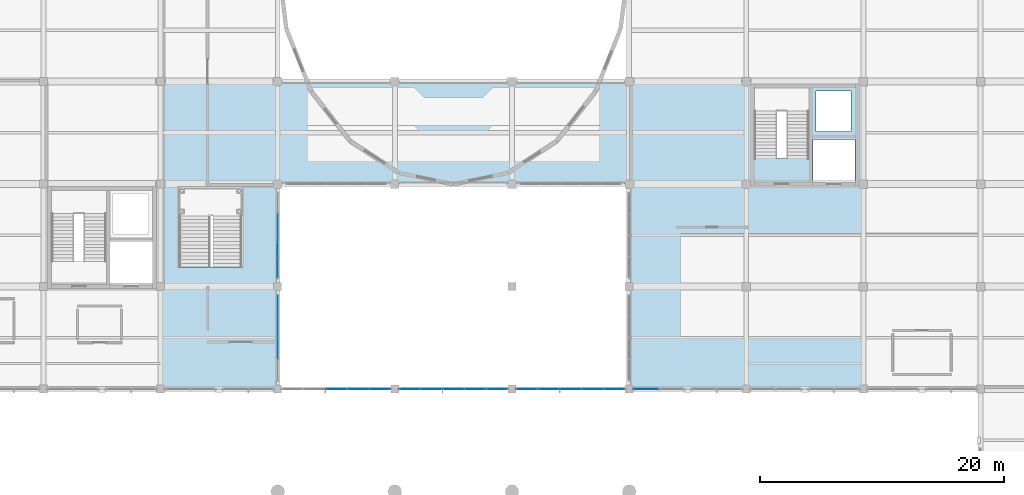
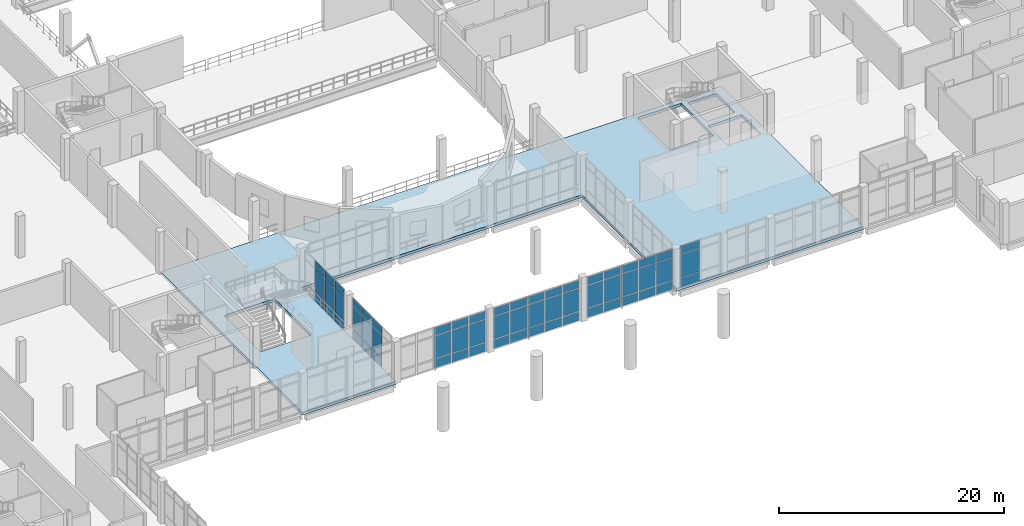
# One storey, part 78 of 102: 60 plates, 1 slab, 6 elements without a shape of their own.
"""IFC4 building model written with IfcOpenShell, lengths in metres."""

from ifc_helpers import new_model, si_unit, direction, frame, origin, origin_2d, place, context, subcontext, project, spatial, polyline, rectangle, outline, extrude, material, layer, layer_set, type_object, element, aggregate, save


model = new_model("IFC4")

# Units and contexts
model_context = context("Model", 3, precision=1e-05, world=origin(), true_north=direction((0.0, 1.0)))
body_context = subcontext(model_context, "Body", "Model", "MODEL_VIEW")
ifc_project = project(units=[si_unit("LENGTHUNIT", "METRE"), si_unit("AREAUNIT", "SQUARE_METRE"), si_unit("VOLUMEUNIT", "CUBIC_METRE"), si_unit("PLANEANGLEUNIT", "RADIAN"), si_unit("MASSUNIT", "GRAM", prefix="KILO")], contexts=[model_context])

# Site, building, storey
site_placement = place(None, origin())
site = spatial("IfcSite", under=ifc_project, at=site_placement, CompositionType="ELEMENT")
building_placement = place(site_placement, origin())
building = spatial("IfcBuilding", under=site, at=building_placement, Name="Lornevale Opera House", CompositionType="ELEMENT")
storey_placement = place(building_placement, frame((0.0, 0.0, 5.39990234375)))
storey = spatial("IfcBuildingStorey", under=building, at=storey_placement, Name="L02", CompositionType="ELEMENT", Elevation=5.39990234375)

# Curtain wall, plates
ifc_material_1 = material(Name="Anodized Oxide-Green Aluminium Framing", Category="aluminium")
ifc_layer_1 = layer(ifc_material_1, 0.14990234375)
ifc_layer_set_1 = layer_set([ifc_layer_1], Name="Anodized Oxide-Green Aluminium Framing")
curtain_wall_type_1 = type_object("IfcCurtainWallType", Name="North-Light Clerestory Curtain Wall M1600", PredefinedType="NOTDEFINED", material=ifc_layer_set_1)
curtain_wall_1_placement = place(storey_placement, origin())
curtain_wall_1 = element("IfcCurtainWall", 1, at=curtain_wall_1_placement, inside=storey, type_object=curtain_wall_type_1, Name="North-Light Clerestory Curtain Wall M1600 CW-171", PredefinedType="NOTDEFINED")
ifc_material_2 = material(Name="Triple Low-E Insulated Glazing", Category="glass")
ifc_layer_2 = layer(ifc_material_2, 0.033935546875)
ifc_layer_set_2 = layer_set([ifc_layer_2], Name="Triple Low-E Insulated Glazing")
plate_type_1 = type_object("IfcPlateType", Name="Clerestory Diffusing Glazing Panel 34", PredefinedType="CURTAIN_PANEL", material=ifc_layer_set_2)
plate_1_placement = place(storey_placement, frame((67.199951171875, 20.125, 0.06005859375), z_axis=(0.0, 0.0, 1.0), x_axis=(0.0, 1.0, 0.0)))
plate_1 = element("IfcPlate", 2, at=plate_1_placement, type_object=plate_type_1, Name="Clerestory Diffusing Glazing Panel 34 CW3475", PredefinedType="CURTAIN_PANEL", context=body_context, shape_type="SweptSolid", body=[
    extrude(rectangle(XDim=1.68994140625, YDim=0.033935546875, at=origin_2d()), origin(), (0.0, 0.0, 1.0), 0.9599609375),
])
plate_2_placement = place(storey_placement, frame((67.199951171875, 20.125, 1.080078125), z_axis=(0.0, 0.0, 1.0), x_axis=(0.0, 1.0, 0.0)))
plate_2 = element("IfcPlate", 3, at=plate_2_placement, type_object=plate_type_1, Name="Clerestory Diffusing Glazing Panel 34 CW3476", PredefinedType="CURTAIN_PANEL", context=body_context, shape_type="SweptSolid", body=[
    extrude(rectangle(XDim=1.68994140625, YDim=0.033935546875, at=origin_2d()), origin(), (0.0, 0.0, 1.0), 2.43994140625),
])
plate_3_placement = place(storey_placement, frame((67.199951171875, 20.125, 3.580078125), z_axis=(0.0, 0.0, 1.0), x_axis=(0.0, 1.0, 0.0)))
plate_3 = element("IfcPlate", 4, at=plate_3_placement, type_object=plate_type_1, Name="Clerestory Diffusing Glazing Panel 34 CW3477", PredefinedType="CURTAIN_PANEL", context=body_context, shape_type="SweptSolid", body=[
    extrude(rectangle(XDim=1.68994140625, YDim=0.033935546875, at=origin_2d()), origin(), (0.0, 0.0, 1.0), 0.860107421875),
])
plate_4_placement = place(storey_placement, frame((67.199951171875, 21.875, 0.06005859375), z_axis=(0.0, 0.0, 1.0), x_axis=(0.0, 1.0, 0.0)))
plate_4 = element("IfcPlate", 5, at=plate_4_placement, type_object=plate_type_1, Name="Clerestory Diffusing Glazing Panel 34 CW3482", PredefinedType="CURTAIN_PANEL", context=body_context, shape_type="SweptSolid", body=[
    extrude(rectangle(XDim=1.68994140625, YDim=0.033935546875, at=origin_2d()), origin(), (0.0, 0.0, 1.0), 0.9599609375),
])
plate_5_placement = place(storey_placement, frame((67.199951171875, 21.875, 1.080078125), z_axis=(0.0, 0.0, 1.0), x_axis=(0.0, 1.0, 0.0)))
plate_5 = element("IfcPlate", 6, at=plate_5_placement, type_object=plate_type_1, Name="Clerestory Diffusing Glazing Panel 34 CW3483", PredefinedType="CURTAIN_PANEL", context=body_context, shape_type="SweptSolid", body=[
    extrude(rectangle(XDim=1.68994140625, YDim=0.033935546875, at=origin_2d()), origin(), (0.0, 0.0, 1.0), 2.43994140625),
])
plate_6_placement = place(storey_placement, frame((67.199951171875, 21.875, 3.580078125), z_axis=(0.0, 0.0, 1.0), x_axis=(0.0, 1.0, 0.0)))
plate_6 = element("IfcPlate", 7, at=plate_6_placement, type_object=plate_type_1, Name="Clerestory Diffusing Glazing Panel 34 CW3484", PredefinedType="CURTAIN_PANEL", context=body_context, shape_type="SweptSolid", body=[
    extrude(rectangle(XDim=1.68994140625, YDim=0.033935546875, at=origin_2d()), origin(), (0.0, 0.0, 1.0), 0.860107421875),
])
plate_7_placement = place(storey_placement, frame((67.199951171875, 23.610107421875, 0.06005859375), z_axis=(0.0, 0.0, 1.0), x_axis=(0.0, 1.0, 0.0)))
plate_7 = element("IfcPlate", 8, at=plate_7_placement, type_object=plate_type_1, Name="Clerestory Diffusing Glazing Panel 34 CW3489", PredefinedType="CURTAIN_PANEL", context=body_context, shape_type="SweptSolid", body=[
    extrude(rectangle(XDim=1.659912109375, YDim=0.033935546875, at=origin_2d()), origin(), (0.0, 0.0, 1.0), 0.9599609375),
])
plate_8_placement = place(storey_placement, frame((67.199951171875, 23.610107421875, 1.080078125), z_axis=(0.0, 0.0, 1.0), x_axis=(0.0, 1.0, 0.0)))
plate_8 = element("IfcPlate", 9, at=plate_8_placement, type_object=plate_type_1, Name="Clerestory Diffusing Glazing Panel 34 CW3490", PredefinedType="CURTAIN_PANEL", context=body_context, shape_type="SweptSolid", body=[
    extrude(rectangle(XDim=1.659912109375, YDim=0.033935546875, at=origin_2d()), origin(), (0.0, 0.0, 1.0), 2.43994140625),
])
plate_9_placement = place(storey_placement, frame((67.199951171875, 23.610107421875, 3.580078125), z_axis=(0.0, 0.0, 1.0), x_axis=(0.0, 1.0, 0.0)))
plate_9 = element("IfcPlate", 10, at=plate_9_placement, type_object=plate_type_1, Name="Clerestory Diffusing Glazing Panel 34 CW3491", PredefinedType="CURTAIN_PANEL", context=body_context, shape_type="SweptSolid", body=[
    extrude(rectangle(XDim=1.659912109375, YDim=0.033935546875, at=origin_2d()), origin(), (0.0, 0.0, 1.0), 0.860107421875),
])
aggregate(curtain_wall_1, [plate_1, plate_2, plate_3, plate_4, plate_5, plate_6, plate_7, plate_8, plate_9])

curtain_wall_2_placement = place(storey_placement, origin())
curtain_wall_2 = element("IfcCurtainWall", 11, at=curtain_wall_2_placement, inside=storey, type_object=curtain_wall_type_1, Name="North-Light Clerestory Curtain Wall M1600 CW-172", PredefinedType="NOTDEFINED")
plate_10_placement = place(storey_placement, frame((67.199951171875, 26.7900390625, 0.06005859375), z_axis=(0.0, 0.0, 1.0), x_axis=(0.0, 1.0, 0.0)))
plate_10 = element("IfcPlate", 12, at=plate_10_placement, type_object=plate_type_1, Name="Clerestory Diffusing Glazing Panel 34 CW3501", PredefinedType="CURTAIN_PANEL", context=body_context, shape_type="SweptSolid", body=[
    extrude(rectangle(XDim=1.659912109375, YDim=0.033935546875, at=origin_2d()), origin(), (0.0, 0.0, 1.0), 0.9599609375),
])
plate_11_placement = place(storey_placement, frame((67.199951171875, 26.7900390625, 1.080078125), z_axis=(0.0, 0.0, 1.0), x_axis=(0.0, 1.0, 0.0)))
plate_11 = element("IfcPlate", 13, at=plate_11_placement, type_object=plate_type_1, Name="Clerestory Diffusing Glazing Panel 34 CW3502", PredefinedType="CURTAIN_PANEL", context=body_context, shape_type="SweptSolid", body=[
    extrude(rectangle(XDim=1.659912109375, YDim=0.033935546875, at=origin_2d()), origin(), (0.0, 0.0, 1.0), 2.43994140625),
])
plate_12_placement = place(storey_placement, frame((67.199951171875, 26.7900390625, 3.580078125), z_axis=(0.0, 0.0, 1.0), x_axis=(0.0, 1.0, 0.0)))
plate_12 = element("IfcPlate", 14, at=plate_12_placement, type_object=plate_type_1, Name="Clerestory Diffusing Glazing Panel 34 CW3503", PredefinedType="CURTAIN_PANEL", context=body_context, shape_type="SweptSolid", body=[
    extrude(rectangle(XDim=1.659912109375, YDim=0.033935546875, at=origin_2d()), origin(), (0.0, 0.0, 1.0), 0.860107421875),
])
plate_13_placement = place(storey_placement, frame((67.199951171875, 28.52490234375, 0.06005859375), z_axis=(0.0, 0.0, 1.0), x_axis=(0.0, 1.0, 0.0)))
plate_13 = element("IfcPlate", 15, at=plate_13_placement, type_object=plate_type_1, Name="Clerestory Diffusing Glazing Panel 34 CW3508", PredefinedType="CURTAIN_PANEL", context=body_context, shape_type="SweptSolid", body=[
    extrude(rectangle(XDim=1.68994140625, YDim=0.033935546875, at=origin_2d()), origin(), (0.0, 0.0, 1.0), 0.9599609375),
])
plate_14_placement = place(storey_placement, frame((67.199951171875, 28.52490234375, 1.080078125), z_axis=(0.0, 0.0, 1.0), x_axis=(0.0, 1.0, 0.0)))
plate_14 = element("IfcPlate", 16, at=plate_14_placement, type_object=plate_type_1, Name="Clerestory Diffusing Glazing Panel 34 CW3509", PredefinedType="CURTAIN_PANEL", context=body_context, shape_type="SweptSolid", body=[
    extrude(rectangle(XDim=1.68994140625, YDim=0.033935546875, at=origin_2d()), origin(), (0.0, 0.0, 1.0), 2.43994140625),
])
plate_15_placement = place(storey_placement, frame((67.199951171875, 28.52490234375, 3.580078125), z_axis=(0.0, 0.0, 1.0), x_axis=(0.0, 1.0, 0.0)))
plate_15 = element("IfcPlate", 17, at=plate_15_placement, type_object=plate_type_1, Name="Clerestory Diffusing Glazing Panel 34 CW3510", PredefinedType="CURTAIN_PANEL", context=body_context, shape_type="SweptSolid", body=[
    extrude(rectangle(XDim=1.68994140625, YDim=0.033935546875, at=origin_2d()), origin(), (0.0, 0.0, 1.0), 0.860107421875),
])
plate_16_placement = place(storey_placement, frame((67.199951171875, 30.27490234375, 0.06005859375), z_axis=(0.0, 0.0, 1.0), x_axis=(0.0, 1.0, 0.0)))
plate_16 = element("IfcPlate", 18, at=plate_16_placement, type_object=plate_type_1, Name="Clerestory Diffusing Glazing Panel 34 CW3515", PredefinedType="CURTAIN_PANEL", context=body_context, shape_type="SweptSolid", body=[
    extrude(rectangle(XDim=1.68994140625, YDim=0.033935546875, at=origin_2d()), origin(), (0.0, 0.0, 1.0), 0.9599609375),
])
plate_17_placement = place(storey_placement, frame((67.199951171875, 30.27490234375, 1.080078125), z_axis=(0.0, 0.0, 1.0), x_axis=(0.0, 1.0, 0.0)))
plate_17 = element("IfcPlate", 19, at=plate_17_placement, type_object=plate_type_1, Name="Clerestory Diffusing Glazing Panel 34 CW3516", PredefinedType="CURTAIN_PANEL", context=body_context, shape_type="SweptSolid", body=[
    extrude(rectangle(XDim=1.68994140625, YDim=0.033935546875, at=origin_2d()), origin(), (0.0, 0.0, 1.0), 2.43994140625),
])
plate_18_placement = place(storey_placement, frame((67.199951171875, 30.27490234375, 3.580078125), z_axis=(0.0, 0.0, 1.0), x_axis=(0.0, 1.0, 0.0)))
plate_18 = element("IfcPlate", 20, at=plate_18_placement, type_object=plate_type_1, Name="Clerestory Diffusing Glazing Panel 34 CW3517", PredefinedType="CURTAIN_PANEL", context=body_context, shape_type="SweptSolid", body=[
    extrude(rectangle(XDim=1.68994140625, YDim=0.033935546875, at=origin_2d()), origin(), (0.0, 0.0, 1.0), 0.860107421875),
])
aggregate(curtain_wall_2, [plate_10, plate_11, plate_12, plate_13, plate_14, plate_15, plate_16, plate_17, plate_18])

# Slab
ifc_material_3 = material(Name="Concrete 35 MPa (CSA A23.1 N)", Category="concrete")
ifc_layer_3 = layer(ifc_material_3, 0.300048828125)
ifc_layer_set_3 = layer_set([ifc_layer_3], Name="Concrete 35 MPa (CSA A23.1 N)")
slab_type = type_object("IfcSlabType", Name="Parterre Gallery Floor Slab 300", PredefinedType="FLOOR", material=ifc_layer_set_3)
slab_placement = place(storey_placement, frame((0.0, 0.0, -0.2998046875)))
element("IfcSlab", 21, at=slab_placement, inside=storey, type_object=slab_type, Name="Parterre Gallery Floor Slab 300 SL-035", PredefinedType="FLOOR", context=body_context, shape_type="SweptSolid", body=[
    extrude(outline(polyline([(57.60009765625, 25.199951171875), (57.60009765625, 33.60009765625), (57.60009765625, 42.0), (67.199951171875, 42.0), (76.800048828125, 42.0), (86.39990234375, 42.0), (96.0, 42.0), (105.60009765625, 42.0), (115.199951171875, 42.0), (115.199951171875, 33.60009765625), (115.199951171875, 25.199951171875), (115.199951171875, 16.800048828125), (105.60009765625, 16.800048828125), (96.0, 16.800048828125), (96.0, 25.199951171875), (96.0, 33.60009765625), (86.39990234375, 33.60009765625), (76.800048828125, 33.60009765625), (67.199951171875, 33.60009765625), (67.199951171875, 25.199951171875), (67.199951171875, 16.800048828125), (57.60009765625, 16.800048828125), (57.60009765625, 25.199951171875)]), holes=[polyline([(111.06005859375, 33.780029296875), (114.52001953125, 33.780029296875), (114.52001953125, 37.239990234375), (111.06005859375, 37.239990234375), (111.06005859375, 33.780029296875)]), polyline([(106.260009765625, 35.679931640625), (110.739990234375, 35.679931640625), (110.739990234375, 41.47998046875), (106.260009765625, 41.47998046875), (106.260009765625, 35.679931640625)]), polyline([(59.10009765625, 26.820068359375), (64.300048828125, 26.820068359375), (64.300048828125, 33.300048828125), (59.10009765625, 33.300048828125), (59.10009765625, 26.820068359375)]), polyline([(111.300048828125, 37.89990234375), (114.199951171875, 37.89990234375), (114.199951171875, 41.239990234375), (111.300048828125, 41.239990234375), (111.300048828125, 37.89990234375)])]), origin(), (0.0, 0.0, 1.0), 0.2998046875),
])

# Curtain wall, plates
ifc_layer_4 = layer(ifc_material_1, 0.219970703125)
ifc_layer_set_4 = layer_set([ifc_layer_4], Name="Anodized Oxide-Green Aluminium Framing")
curtain_wall_type_2 = type_object("IfcCurtainWallType", Name="Winter-Garden Curtain Wall M1900", PredefinedType="NOTDEFINED", material=ifc_layer_set_4)
curtain_wall_3_placement = place(storey_placement, origin())
curtain_wall_3 = element("IfcCurtainWall", 22, at=curtain_wall_3_placement, inside=storey, type_object=curtain_wall_type_2, Name="Winter-Garden Curtain Wall M1900 CW-069", PredefinedType="NOTDEFINED")
ifc_layer_5 = layer(ifc_material_2, 0.0380859375)
ifc_layer_set_5 = layer_set([ifc_layer_5], Name="Triple Low-E Insulated Glazing")
plate_type_2 = type_object("IfcPlateType", Name="Triple Low-E Vision Panel 38", PredefinedType="CURTAIN_PANEL", material=ifc_layer_set_5)
plate_19_placement = place(storey_placement, frame((75.564453125, 16.800048828125, 0.074951171875), z_axis=(0.0, 0.0, 1.0), x_axis=(-1.0, 0.0, 0.0)))
plate_19 = element("IfcPlate", 23, at=plate_19_placement, type_object=plate_type_2, Name="Triple Low-E Vision Panel 38 CW1367", PredefinedType="CURTAIN_PANEL", context=body_context, shape_type="SweptSolid", body=[
    extrude(rectangle(XDim=1.67919921875, YDim=0.0380859375, at=origin_2d()), origin(), (0.0, 0.0, 1.0), 0.9375),
])
plate_20_placement = place(storey_placement, frame((75.564453125, 16.800048828125, 1.08740234375), z_axis=(0.0, 0.0, 1.0), x_axis=(-1.0, 0.0, 0.0)))
plate_20 = element("IfcPlate", 24, at=plate_20_placement, type_object=plate_type_2, Name="Triple Low-E Vision Panel 38 CW1368", PredefinedType="CURTAIN_PANEL", context=body_context, shape_type="SweptSolid", body=[
    extrude(rectangle(XDim=1.67919921875, YDim=0.0380859375, at=origin_2d()), origin(), (0.0, 0.0, 1.0), 2.445068359375),
])
plate_21_placement = place(storey_placement, frame((75.564453125, 16.800048828125, 3.607666015625), z_axis=(0.0, 0.0, 1.0), x_axis=(-1.0, 0.0, 0.0)))
plate_21 = element("IfcPlate", 25, at=plate_21_placement, type_object=plate_type_2, Name="Triple Low-E Vision Panel 38 CW1369", PredefinedType="CURTAIN_PANEL", context=body_context, shape_type="SweptSolid", body=[
    extrude(rectangle(XDim=1.67919921875, YDim=0.0380859375, at=origin_2d()), origin(), (0.0, 0.0, 1.0), 0.83740234375),
])
plate_22_placement = place(storey_placement, frame((73.79150390625, 16.800048828125, 0.074951171875), z_axis=(0.0, 0.0, 1.0), x_axis=(-1.0, 0.0, 0.0)))
plate_22 = element("IfcPlate", 26, at=plate_22_placement, type_object=plate_type_2, Name="Triple Low-E Vision Panel 38 CW1374", PredefinedType="CURTAIN_PANEL", context=body_context, shape_type="SweptSolid", body=[
    extrude(rectangle(XDim=1.716552734375, YDim=0.0380859375, at=origin_2d()), origin(), (0.0, 0.0, 1.0), 0.9375),
])
plate_23_placement = place(storey_placement, frame((73.79150390625, 16.800048828125, 1.08740234375), z_axis=(0.0, 0.0, 1.0), x_axis=(-1.0, 0.0, 0.0)))
plate_23 = element("IfcPlate", 27, at=plate_23_placement, type_object=plate_type_2, Name="Triple Low-E Vision Panel 38 CW1375", PredefinedType="CURTAIN_PANEL", context=body_context, shape_type="SweptSolid", body=[
    extrude(rectangle(XDim=1.716552734375, YDim=0.0380859375, at=origin_2d()), origin(), (0.0, 0.0, 1.0), 2.445068359375),
])
plate_24_placement = place(storey_placement, frame((73.79150390625, 16.800048828125, 3.607666015625), z_axis=(0.0, 0.0, 1.0), x_axis=(-1.0, 0.0, 0.0)))
plate_24 = element("IfcPlate", 28, at=plate_24_placement, type_object=plate_type_2, Name="Triple Low-E Vision Panel 38 CW1376", PredefinedType="CURTAIN_PANEL", context=body_context, shape_type="SweptSolid", body=[
    extrude(rectangle(XDim=1.716552734375, YDim=0.0380859375, at=origin_2d()), origin(), (0.0, 0.0, 1.0), 0.83740234375),
])
plate_25_placement = place(storey_placement, frame((72.0, 16.800048828125, 0.074951171875), z_axis=(0.0, 0.0, 1.0), x_axis=(-1.0, 0.0, 0.0)))
plate_25 = element("IfcPlate", 29, at=plate_25_placement, type_object=plate_type_2, Name="Triple Low-E Vision Panel 38 CW1381", PredefinedType="CURTAIN_PANEL", context=body_context, shape_type="SweptSolid", body=[
    extrude(rectangle(XDim=1.716552734375, YDim=0.0380859375, at=origin_2d()), origin(), (0.0, 0.0, 1.0), 0.9375),
])
plate_26_placement = place(storey_placement, frame((72.0, 16.800048828125, 1.08740234375), z_axis=(0.0, 0.0, 1.0), x_axis=(-1.0, 0.0, 0.0)))
plate_26 = element("IfcPlate", 30, at=plate_26_placement, type_object=plate_type_2, Name="Triple Low-E Vision Panel 38 CW1382", PredefinedType="CURTAIN_PANEL", context=body_context, shape_type="SweptSolid", body=[
    extrude(rectangle(XDim=1.716552734375, YDim=0.0380859375, at=origin_2d()), origin(), (0.0, 0.0, 1.0), 2.445068359375),
])
plate_27_placement = place(storey_placement, frame((72.0, 16.800048828125, 3.607666015625), z_axis=(0.0, 0.0, 1.0), x_axis=(-1.0, 0.0, 0.0)))
plate_27 = element("IfcPlate", 31, at=plate_27_placement, type_object=plate_type_2, Name="Triple Low-E Vision Panel 38 CW1383", PredefinedType="CURTAIN_PANEL", context=body_context, shape_type="SweptSolid", body=[
    extrude(rectangle(XDim=1.716552734375, YDim=0.0380859375, at=origin_2d()), origin(), (0.0, 0.0, 1.0), 0.83740234375),
])
aggregate(curtain_wall_3, [plate_19, plate_20, plate_21, plate_22, plate_23, plate_24, plate_25, plate_26, plate_27])

curtain_wall_4_placement = place(storey_placement, origin())
curtain_wall_4 = element("IfcCurtainWall", 32, at=curtain_wall_4_placement, inside=storey, type_object=curtain_wall_type_2, Name="Winter-Garden Curtain Wall M1900 CW-070", PredefinedType="NOTDEFINED")
plate_28_placement = place(storey_placement, frame((85.164306640625, 16.800048828125, 0.074951171875), z_axis=(0.0, 0.0, 1.0), x_axis=(-1.0, 0.0, 0.0)))
plate_28 = element("IfcPlate", 33, at=plate_28_placement, type_object=plate_type_2, Name="Triple Low-E Vision Panel 38 CW1408", PredefinedType="CURTAIN_PANEL", context=body_context, shape_type="SweptSolid", body=[
    extrude(rectangle(XDim=1.67919921875, YDim=0.0380859375, at=origin_2d()), origin(), (0.0, 0.0, 1.0), 0.9375),
])
plate_29_placement = place(storey_placement, frame((85.164306640625, 16.800048828125, 1.08740234375), z_axis=(0.0, 0.0, 1.0), x_axis=(-1.0, 0.0, 0.0)))
plate_29 = element("IfcPlate", 34, at=plate_29_placement, type_object=plate_type_2, Name="Triple Low-E Vision Panel 38 CW1409", PredefinedType="CURTAIN_PANEL", context=body_context, shape_type="SweptSolid", body=[
    extrude(rectangle(XDim=1.67919921875, YDim=0.0380859375, at=origin_2d()), origin(), (0.0, 0.0, 1.0), 2.445068359375),
])
plate_30_placement = place(storey_placement, frame((85.164306640625, 16.800048828125, 3.607666015625), z_axis=(0.0, 0.0, 1.0), x_axis=(-1.0, 0.0, 0.0)))
plate_30 = element("IfcPlate", 35, at=plate_30_placement, type_object=plate_type_2, Name="Triple Low-E Vision Panel 38 CW1410", PredefinedType="CURTAIN_PANEL", context=body_context, shape_type="SweptSolid", body=[
    extrude(rectangle(XDim=1.67919921875, YDim=0.0380859375, at=origin_2d()), origin(), (0.0, 0.0, 1.0), 0.83740234375),
])
plate_31_placement = place(storey_placement, frame((83.3916015625, 16.800048828125, 0.074951171875), z_axis=(0.0, 0.0, 1.0), x_axis=(-1.0, 0.0, 0.0)))
plate_31 = element("IfcPlate", 36, at=plate_31_placement, type_object=plate_type_2, Name="Triple Low-E Vision Panel 38 CW1415", PredefinedType="CURTAIN_PANEL", context=body_context, shape_type="SweptSolid", body=[
    extrude(rectangle(XDim=1.716552734375, YDim=0.0380859375, at=origin_2d()), origin(), (0.0, 0.0, 1.0), 0.9375),
])
plate_32_placement = place(storey_placement, frame((83.3916015625, 16.800048828125, 1.08740234375), z_axis=(0.0, 0.0, 1.0), x_axis=(-1.0, 0.0, 0.0)))
plate_32 = element("IfcPlate", 37, at=plate_32_placement, type_object=plate_type_2, Name="Triple Low-E Vision Panel 38 CW1416", PredefinedType="CURTAIN_PANEL", context=body_context, shape_type="SweptSolid", body=[
    extrude(rectangle(XDim=1.716552734375, YDim=0.0380859375, at=origin_2d()), origin(), (0.0, 0.0, 1.0), 2.445068359375),
])
plate_33_placement = place(storey_placement, frame((83.3916015625, 16.800048828125, 3.607666015625), z_axis=(0.0, 0.0, 1.0), x_axis=(-1.0, 0.0, 0.0)))
plate_33 = element("IfcPlate", 38, at=plate_33_placement, type_object=plate_type_2, Name="Triple Low-E Vision Panel 38 CW1417", PredefinedType="CURTAIN_PANEL", context=body_context, shape_type="SweptSolid", body=[
    extrude(rectangle(XDim=1.716552734375, YDim=0.0380859375, at=origin_2d()), origin(), (0.0, 0.0, 1.0), 0.83740234375),
])
plate_34_placement = place(storey_placement, frame((81.60009765625, 16.800048828125, 0.074951171875), z_axis=(0.0, 0.0, 1.0), x_axis=(-1.0, 0.0, 0.0)))
plate_34 = element("IfcPlate", 39, at=plate_34_placement, type_object=plate_type_2, Name="Triple Low-E Vision Panel 38 CW1422", PredefinedType="CURTAIN_PANEL", context=body_context, shape_type="SweptSolid", body=[
    extrude(rectangle(XDim=1.716552734375, YDim=0.0380859375, at=origin_2d()), origin(), (0.0, 0.0, 1.0), 0.9375),
])
plate_35_placement = place(storey_placement, frame((81.60009765625, 16.800048828125, 1.08740234375), z_axis=(0.0, 0.0, 1.0), x_axis=(-1.0, 0.0, 0.0)))
plate_35 = element("IfcPlate", 40, at=plate_35_placement, type_object=plate_type_2, Name="Triple Low-E Vision Panel 38 CW1423", PredefinedType="CURTAIN_PANEL", context=body_context, shape_type="SweptSolid", body=[
    extrude(rectangle(XDim=1.716552734375, YDim=0.0380859375, at=origin_2d()), origin(), (0.0, 0.0, 1.0), 2.445068359375),
])
plate_36_placement = place(storey_placement, frame((81.60009765625, 16.800048828125, 3.607666015625), z_axis=(0.0, 0.0, 1.0), x_axis=(-1.0, 0.0, 0.0)))
plate_36 = element("IfcPlate", 41, at=plate_36_placement, type_object=plate_type_2, Name="Triple Low-E Vision Panel 38 CW1424", PredefinedType="CURTAIN_PANEL", context=body_context, shape_type="SweptSolid", body=[
    extrude(rectangle(XDim=1.716552734375, YDim=0.0380859375, at=origin_2d()), origin(), (0.0, 0.0, 1.0), 0.83740234375),
])
plate_37_placement = place(storey_placement, frame((79.808349609375, 16.800048828125, 0.074951171875), z_axis=(0.0, 0.0, 1.0), x_axis=(-1.0, 0.0, 0.0)))
plate_37 = element("IfcPlate", 42, at=plate_37_placement, type_object=plate_type_2, Name="Triple Low-E Vision Panel 38 CW1429", PredefinedType="CURTAIN_PANEL", context=body_context, shape_type="SweptSolid", body=[
    extrude(rectangle(XDim=1.716552734375, YDim=0.0380859375, at=origin_2d()), origin(), (0.0, 0.0, 1.0), 0.9375),
])
plate_38_placement = place(storey_placement, frame((79.808349609375, 16.800048828125, 1.08740234375), z_axis=(0.0, 0.0, 1.0), x_axis=(-1.0, 0.0, 0.0)))
plate_38 = element("IfcPlate", 43, at=plate_38_placement, type_object=plate_type_2, Name="Triple Low-E Vision Panel 38 CW1430", PredefinedType="CURTAIN_PANEL", context=body_context, shape_type="SweptSolid", body=[
    extrude(rectangle(XDim=1.716552734375, YDim=0.0380859375, at=origin_2d()), origin(), (0.0, 0.0, 1.0), 2.445068359375),
])
plate_39_placement = place(storey_placement, frame((79.808349609375, 16.800048828125, 3.607666015625), z_axis=(0.0, 0.0, 1.0), x_axis=(-1.0, 0.0, 0.0)))
plate_39 = element("IfcPlate", 44, at=plate_39_placement, type_object=plate_type_2, Name="Triple Low-E Vision Panel 38 CW1431", PredefinedType="CURTAIN_PANEL", context=body_context, shape_type="SweptSolid", body=[
    extrude(rectangle(XDim=1.716552734375, YDim=0.0380859375, at=origin_2d()), origin(), (0.0, 0.0, 1.0), 0.83740234375),
])
plate_40_placement = place(storey_placement, frame((78.03564453125, 16.800048828125, 0.074951171875), z_axis=(0.0, 0.0, 1.0), x_axis=(-1.0, 0.0, 0.0)))
plate_40 = element("IfcPlate", 45, at=plate_40_placement, type_object=plate_type_2, Name="Triple Low-E Vision Panel 38 CW1436", PredefinedType="CURTAIN_PANEL", context=body_context, shape_type="SweptSolid", body=[
    extrude(rectangle(XDim=1.67919921875, YDim=0.0380859375, at=origin_2d()), origin(), (0.0, 0.0, 1.0), 0.9375),
])
plate_41_placement = place(storey_placement, frame((78.03564453125, 16.800048828125, 1.08740234375), z_axis=(0.0, 0.0, 1.0), x_axis=(-1.0, 0.0, 0.0)))
plate_41 = element("IfcPlate", 46, at=plate_41_placement, type_object=plate_type_2, Name="Triple Low-E Vision Panel 38 CW1437", PredefinedType="CURTAIN_PANEL", context=body_context, shape_type="SweptSolid", body=[
    extrude(rectangle(XDim=1.67919921875, YDim=0.0380859375, at=origin_2d()), origin(), (0.0, 0.0, 1.0), 2.445068359375),
])
plate_42_placement = place(storey_placement, frame((78.03564453125, 16.800048828125, 3.607666015625), z_axis=(0.0, 0.0, 1.0), x_axis=(-1.0, 0.0, 0.0)))
plate_42 = element("IfcPlate", 47, at=plate_42_placement, type_object=plate_type_2, Name="Triple Low-E Vision Panel 38 CW1438", PredefinedType="CURTAIN_PANEL", context=body_context, shape_type="SweptSolid", body=[
    extrude(rectangle(XDim=1.67919921875, YDim=0.0380859375, at=origin_2d()), origin(), (0.0, 0.0, 1.0), 0.83740234375),
])
aggregate(curtain_wall_4, [plate_28, plate_29, plate_30, plate_31, plate_32, plate_33, plate_34, plate_35, plate_36, plate_37, plate_38, plate_39, plate_40, plate_41, plate_42])

curtain_wall_5_placement = place(storey_placement, origin())
curtain_wall_5 = element("IfcCurtainWall", 48, at=curtain_wall_5_placement, inside=storey, type_object=curtain_wall_type_2, Name="Winter-Garden Curtain Wall M1900 CW-071", PredefinedType="NOTDEFINED")
plate_43_placement = place(storey_placement, frame((94.764404296875, 16.800048828125, 0.074951171875), z_axis=(0.0, 0.0, 1.0), x_axis=(-1.0, 0.0, 0.0)))
plate_43 = element("IfcPlate", 49, at=plate_43_placement, type_object=plate_type_2, Name="Triple Low-E Vision Panel 38 CW1449", PredefinedType="CURTAIN_PANEL", context=body_context, shape_type="SweptSolid", body=[
    extrude(rectangle(XDim=1.67919921875, YDim=0.0380859375, at=origin_2d()), origin(), (0.0, 0.0, 1.0), 0.9375),
])
plate_44_placement = place(storey_placement, frame((94.764404296875, 16.800048828125, 1.08740234375), z_axis=(0.0, 0.0, 1.0), x_axis=(-1.0, 0.0, 0.0)))
plate_44 = element("IfcPlate", 50, at=plate_44_placement, type_object=plate_type_2, Name="Triple Low-E Vision Panel 38 CW1450", PredefinedType="CURTAIN_PANEL", context=body_context, shape_type="SweptSolid", body=[
    extrude(rectangle(XDim=1.67919921875, YDim=0.0380859375, at=origin_2d()), origin(), (0.0, 0.0, 1.0), 2.445068359375),
])
plate_45_placement = place(storey_placement, frame((94.764404296875, 16.800048828125, 3.607666015625), z_axis=(0.0, 0.0, 1.0), x_axis=(-1.0, 0.0, 0.0)))
plate_45 = element("IfcPlate", 51, at=plate_45_placement, type_object=plate_type_2, Name="Triple Low-E Vision Panel 38 CW1451", PredefinedType="CURTAIN_PANEL", context=body_context, shape_type="SweptSolid", body=[
    extrude(rectangle(XDim=1.67919921875, YDim=0.0380859375, at=origin_2d()), origin(), (0.0, 0.0, 1.0), 0.83740234375),
])
plate_46_placement = place(storey_placement, frame((92.99169921875, 16.800048828125, 0.074951171875), z_axis=(0.0, 0.0, 1.0), x_axis=(-1.0, 0.0, 0.0)))
plate_46 = element("IfcPlate", 52, at=plate_46_placement, type_object=plate_type_2, Name="Triple Low-E Vision Panel 38 CW1456", PredefinedType="CURTAIN_PANEL", context=body_context, shape_type="SweptSolid", body=[
    extrude(rectangle(XDim=1.716552734375, YDim=0.0380859375, at=origin_2d()), origin(), (0.0, 0.0, 1.0), 0.9375),
])
plate_47_placement = place(storey_placement, frame((92.99169921875, 16.800048828125, 1.08740234375), z_axis=(0.0, 0.0, 1.0), x_axis=(-1.0, 0.0, 0.0)))
plate_47 = element("IfcPlate", 53, at=plate_47_placement, type_object=plate_type_2, Name="Triple Low-E Vision Panel 38 CW1457", PredefinedType="CURTAIN_PANEL", context=body_context, shape_type="SweptSolid", body=[
    extrude(rectangle(XDim=1.716552734375, YDim=0.0380859375, at=origin_2d()), origin(), (0.0, 0.0, 1.0), 2.445068359375),
])
plate_48_placement = place(storey_placement, frame((92.99169921875, 16.800048828125, 3.607666015625), z_axis=(0.0, 0.0, 1.0), x_axis=(-1.0, 0.0, 0.0)))
plate_48 = element("IfcPlate", 54, at=plate_48_placement, type_object=plate_type_2, Name="Triple Low-E Vision Panel 38 CW1458", PredefinedType="CURTAIN_PANEL", context=body_context, shape_type="SweptSolid", body=[
    extrude(rectangle(XDim=1.716552734375, YDim=0.0380859375, at=origin_2d()), origin(), (0.0, 0.0, 1.0), 0.83740234375),
])
plate_49_placement = place(storey_placement, frame((91.199951171875, 16.800048828125, 0.074951171875), z_axis=(0.0, 0.0, 1.0), x_axis=(-1.0, 0.0, 0.0)))
plate_49 = element("IfcPlate", 55, at=plate_49_placement, type_object=plate_type_2, Name="Triple Low-E Vision Panel 38 CW1463", PredefinedType="CURTAIN_PANEL", context=body_context, shape_type="SweptSolid", body=[
    extrude(rectangle(XDim=1.716552734375, YDim=0.0380859375, at=origin_2d()), origin(), (0.0, 0.0, 1.0), 0.9375),
])
plate_50_placement = place(storey_placement, frame((91.199951171875, 16.800048828125, 1.08740234375), z_axis=(0.0, 0.0, 1.0), x_axis=(-1.0, 0.0, 0.0)))
plate_50 = element("IfcPlate", 56, at=plate_50_placement, type_object=plate_type_2, Name="Triple Low-E Vision Panel 38 CW1464", PredefinedType="CURTAIN_PANEL", context=body_context, shape_type="SweptSolid", body=[
    extrude(rectangle(XDim=1.716552734375, YDim=0.0380859375, at=origin_2d()), origin(), (0.0, 0.0, 1.0), 2.445068359375),
])
plate_51_placement = place(storey_placement, frame((91.199951171875, 16.800048828125, 3.607666015625), z_axis=(0.0, 0.0, 1.0), x_axis=(-1.0, 0.0, 0.0)))
plate_51 = element("IfcPlate", 57, at=plate_51_placement, type_object=plate_type_2, Name="Triple Low-E Vision Panel 38 CW1465", PredefinedType="CURTAIN_PANEL", context=body_context, shape_type="SweptSolid", body=[
    extrude(rectangle(XDim=1.716552734375, YDim=0.0380859375, at=origin_2d()), origin(), (0.0, 0.0, 1.0), 0.83740234375),
])
plate_52_placement = place(storey_placement, frame((89.408447265625, 16.800048828125, 0.074951171875), z_axis=(0.0, 0.0, 1.0), x_axis=(-1.0, 0.0, 0.0)))
plate_52 = element("IfcPlate", 58, at=plate_52_placement, type_object=plate_type_2, Name="Triple Low-E Vision Panel 38 CW1470", PredefinedType="CURTAIN_PANEL", context=body_context, shape_type="SweptSolid", body=[
    extrude(rectangle(XDim=1.716552734375, YDim=0.0380859375, at=origin_2d()), origin(), (0.0, 0.0, 1.0), 0.9375),
])
plate_53_placement = place(storey_placement, frame((89.408447265625, 16.800048828125, 1.08740234375), z_axis=(0.0, 0.0, 1.0), x_axis=(-1.0, 0.0, 0.0)))
plate_53 = element("IfcPlate", 59, at=plate_53_placement, type_object=plate_type_2, Name="Triple Low-E Vision Panel 38 CW1471", PredefinedType="CURTAIN_PANEL", context=body_context, shape_type="SweptSolid", body=[
    extrude(rectangle(XDim=1.716552734375, YDim=0.0380859375, at=origin_2d()), origin(), (0.0, 0.0, 1.0), 2.445068359375),
])
plate_54_placement = place(storey_placement, frame((89.408447265625, 16.800048828125, 3.607666015625), z_axis=(0.0, 0.0, 1.0), x_axis=(-1.0, 0.0, 0.0)))
plate_54 = element("IfcPlate", 60, at=plate_54_placement, type_object=plate_type_2, Name="Triple Low-E Vision Panel 38 CW1472", PredefinedType="CURTAIN_PANEL", context=body_context, shape_type="SweptSolid", body=[
    extrude(rectangle(XDim=1.716552734375, YDim=0.0380859375, at=origin_2d()), origin(), (0.0, 0.0, 1.0), 0.83740234375),
])
plate_55_placement = place(storey_placement, frame((87.635498046875, 16.800048828125, 0.074951171875), z_axis=(0.0, 0.0, 1.0), x_axis=(-1.0, 0.0, 0.0)))
plate_55 = element("IfcPlate", 61, at=plate_55_placement, type_object=plate_type_2, Name="Triple Low-E Vision Panel 38 CW1477", PredefinedType="CURTAIN_PANEL", context=body_context, shape_type="SweptSolid", body=[
    extrude(rectangle(XDim=1.67919921875, YDim=0.0380859375, at=origin_2d()), origin(), (0.0, 0.0, 1.0), 0.9375),
])
plate_56_placement = place(storey_placement, frame((87.635498046875, 16.800048828125, 1.08740234375), z_axis=(0.0, 0.0, 1.0), x_axis=(-1.0, 0.0, 0.0)))
plate_56 = element("IfcPlate", 62, at=plate_56_placement, type_object=plate_type_2, Name="Triple Low-E Vision Panel 38 CW1478", PredefinedType="CURTAIN_PANEL", context=body_context, shape_type="SweptSolid", body=[
    extrude(rectangle(XDim=1.67919921875, YDim=0.0380859375, at=origin_2d()), origin(), (0.0, 0.0, 1.0), 2.445068359375),
])
plate_57_placement = place(storey_placement, frame((87.635498046875, 16.800048828125, 3.607666015625), z_axis=(0.0, 0.0, 1.0), x_axis=(-1.0, 0.0, 0.0)))
plate_57 = element("IfcPlate", 63, at=plate_57_placement, type_object=plate_type_2, Name="Triple Low-E Vision Panel 38 CW1479", PredefinedType="CURTAIN_PANEL", context=body_context, shape_type="SweptSolid", body=[
    extrude(rectangle(XDim=1.67919921875, YDim=0.0380859375, at=origin_2d()), origin(), (0.0, 0.0, 1.0), 0.83740234375),
])
aggregate(curtain_wall_5, [plate_43, plate_44, plate_45, plate_46, plate_47, plate_48, plate_49, plate_50, plate_51, plate_52, plate_53, plate_54, plate_55, plate_56, plate_57])

curtain_wall_6_placement = place(storey_placement, origin())
curtain_wall_6 = element("IfcCurtainWall", 64, at=curtain_wall_6_placement, inside=storey, type_object=curtain_wall_type_2, Name="Winter-Garden Curtain Wall M1900 CW-073", PredefinedType="NOTDEFINED")
plate_58_placement = place(storey_placement, frame((97.389404296875, 16.800048828125, 0.074951171875), z_axis=(0.0, 0.0, 1.0), x_axis=(-1.0, 0.0, 0.0)))
plate_58 = element("IfcPlate", 65, at=plate_58_placement, type_object=plate_type_2, Name="Triple Low-E Vision Panel 38 CW1511", PredefinedType="CURTAIN_PANEL", context=body_context, shape_type="SweptSolid", body=[
    extrude(rectangle(XDim=1.987060546875, YDim=0.0380859375, at=origin_2d()), origin(), (0.0, 0.0, 1.0), 0.9375),
])
plate_59_placement = place(storey_placement, frame((97.389404296875, 16.800048828125, 1.08740234375), z_axis=(0.0, 0.0, 1.0), x_axis=(-1.0, 0.0, 0.0)))
plate_59 = element("IfcPlate", 66, at=plate_59_placement, type_object=plate_type_2, Name="Triple Low-E Vision Panel 38 CW1512", PredefinedType="CURTAIN_PANEL", context=body_context, shape_type="SweptSolid", body=[
    extrude(rectangle(XDim=1.987060546875, YDim=0.0380859375, at=origin_2d()), origin(), (0.0, 0.0, 1.0), 2.445068359375),
])
plate_60_placement = place(storey_placement, frame((97.389404296875, 16.800048828125, 3.607666015625), z_axis=(0.0, 0.0, 1.0), x_axis=(-1.0, 0.0, 0.0)))
plate_60 = element("IfcPlate", 67, at=plate_60_placement, type_object=plate_type_2, Name="Triple Low-E Vision Panel 38 CW1513", PredefinedType="CURTAIN_PANEL", context=body_context, shape_type="SweptSolid", body=[
    extrude(rectangle(XDim=1.987060546875, YDim=0.0380859375, at=origin_2d()), origin(), (0.0, 0.0, 1.0), 0.83740234375),
])
aggregate(curtain_wall_6, [plate_58, plate_59, plate_60])

save(model, "model.ifc")
